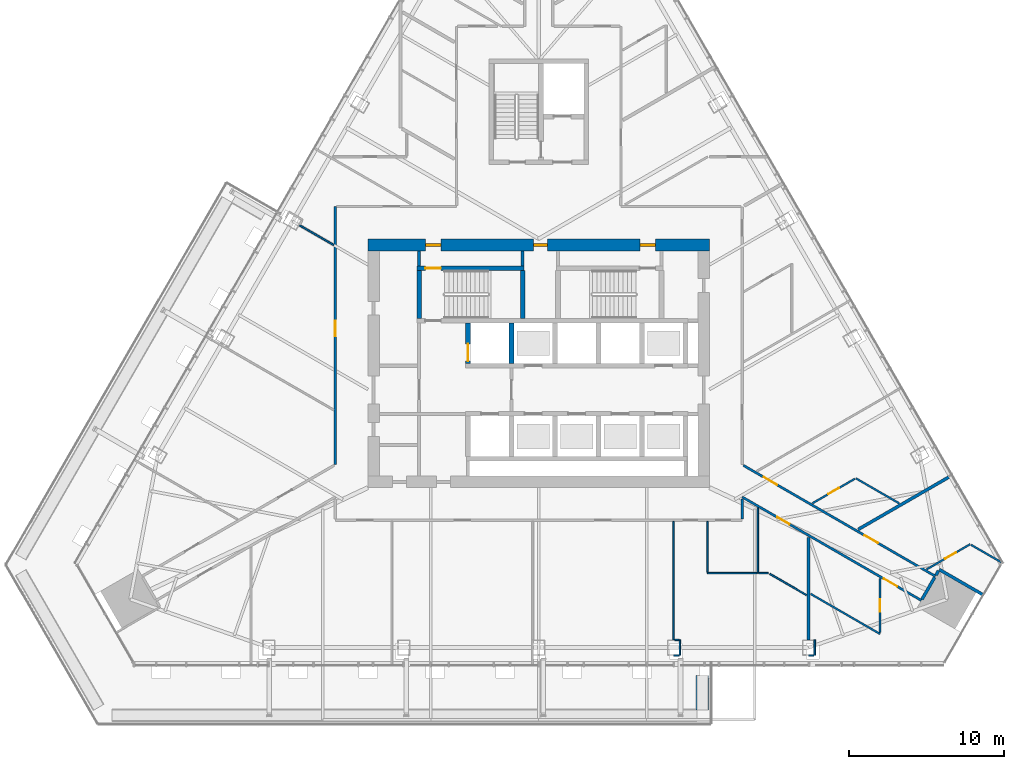
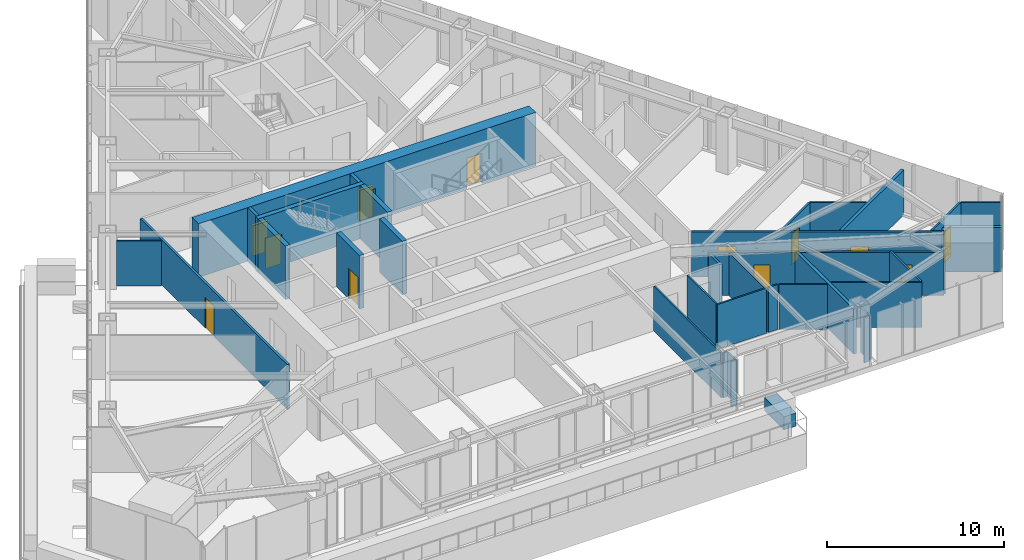
# One storey, part 16 of 23: 36 walls, 13 doors, 13 openings.
"""IFC4 building model written with IfcOpenShell, lengths in metres."""

from ifc_helpers import new_model, si_unit, direction, frame, frame_2d, origin, place, context, subcontext, project, spatial, rectangle, extrude, material, layer, layer_set, type_object, element, fill, save


model = new_model("IFC4")

# Units and contexts
model_context = context("Model", 3, precision=1e-05, world=origin(), true_north=direction((0.0, 1.0)))
body_context = subcontext(model_context, "Body", "Model", "MODEL_VIEW")
ifc_project = project(units=[si_unit("LENGTHUNIT", "METRE"), si_unit("AREAUNIT", "SQUARE_METRE"), si_unit("VOLUMEUNIT", "CUBIC_METRE"), si_unit("PLANEANGLEUNIT", "RADIAN"), si_unit("MASSUNIT", "GRAM", prefix="KILO")], contexts=[model_context])

# Site, building, storey
site_placement = place(None, origin())
site = spatial("IfcSite", under=ifc_project, at=site_placement, CompositionType="ELEMENT")
building_placement = place(site_placement, origin())
building = spatial("IfcBuilding", under=site, at=building_placement, Name="Firuza Gate Tower and Library", CompositionType="ELEMENT")
storey_placement = place(building_placement, frame((0.0, 0.0, 190.89990234375)))
storey = spatial("IfcBuildingStorey", under=building, at=storey_placement, Name="L44", CompositionType="ELEMENT", Elevation=190.89990234375)

# Walls
ifc_material_1 = material(Name="Plasterboard on steel studs", Category="steel")
ifc_layer_1 = layer(ifc_material_1, 0.199951171875)
ifc_layer_set_1 = layer_set([ifc_layer_1], Name="Core partition 200 EI 120")
wall_type_1 = type_object("IfcWallType", Name="Core partition 200 EI 120", PredefinedType="PARTITIONING", material=ifc_layer_set_1)
wall_1_placement = place(storey_placement, frame((67.300048828125, 81.280029296875, 0.0), z_axis=(0.0, 0.0, 1.0), x_axis=(0.0, 1.0, 0.0)))
element("IfcWall", 1, at=wall_1_placement, inside=storey, type_object=wall_type_1, Name="Core partition L44 9", PredefinedType="PARTITIONING", context=body_context, shape_type="SweptSolid", body=[
    extrude(rectangle(XDim=0.969970703125, YDim=0.199951171875, at=frame_2d((0.48486328125, 0.0))), origin(), (0.0, 0.0, 1.0), 3.7001953125),
])
ifc_material_2 = material(Name="Plasterboard on steel studs", Category="steel")
ifc_layer_2 = layer(ifc_material_2, 0.199951171875)
ifc_layer_set_2 = layer_set([ifc_layer_2], Name="Core partition 200 EI 60")
wall_type_2 = type_object("IfcWallType", Name="Core partition 200 EI 60", PredefinedType="PARTITIONING", material=ifc_layer_set_2)
wall_2_placement = place(storey_placement, frame((73.9599609375, 81.280029296875, 0.0), z_axis=(0.0, 0.0, 1.0), x_axis=(0.0, 1.0, 0.0)))
element("IfcWall", 2, at=wall_2_placement, inside=storey, type_object=wall_type_2, Name="Core partition L44 12", PredefinedType="PARTITIONING", context=body_context, shape_type="SweptSolid", body=[
    extrude(rectangle(XDim=0.969970703125, YDim=0.199951171875, at=frame_2d((0.48486328125, 0.0))), origin(), (0.0, 0.0, 1.0), 3.7001953125),
])

# Wall, opening, door
ifc_material_3 = material(Name="Concrete C80/95", Category="concrete")
ifc_layer_3 = layer(ifc_material_3, 0.300048828125)
ifc_layer_set_3 = layer_set([ifc_layer_3], Name="Core wall 300 C80/95")
wall_type_3 = type_object("IfcWallType", Name="Core wall 300 C80/95", PredefinedType="SHEAR", material=ifc_layer_set_3)
wall_3_placement = place(storey_placement, frame((70.449951171875, 75.0, 0.0), z_axis=(0.0, 0.0, 1.0), x_axis=(0.0, 1.0, 0.0)))
wall_3 = element("IfcWall", 3, at=wall_3_placement, inside=storey, type_object=wall_type_3, Name="Core wall L44 9", PredefinedType="SHEAR", context=body_context, shape_type="SweptSolid", body=[
    extrude(rectangle(XDim=2.60009765625, YDim=0.300048828125, at=frame_2d((1.300048828125, 0.0))), origin(), (0.0, 0.0, 1.0), 3.7001953125),
])
opening_1_placement = place(wall_3_placement, frame((0.14990234375, 0.0, 0.0)))
opening_1 = element("IfcOpeningElement", 4, at=opening_1_placement, cuts=wall_3, Name="Opening LD-FF2-L44", PredefinedType="OPENING", context=body_context, shape_type="SweptSolid", body=[
    extrude(rectangle(XDim=1.10009765625, YDim=2.10009765625, at=frame_2d((0.550048828125, 1.050048828125))), frame((0.0, 0.16015625, 0.0), z_axis=(0.0, -1.0, 0.0), x_axis=(1.0, 0.0, 0.0)), (0.0, 0.0, 1.0), 0.320068359375),
])
ifc_material_4 = material(Name="Stainless steel", Category="steel")
door_type_1 = type_object("IfcDoorType", Name="Lift landing door 1100x2100", OperationType="DOUBLE_DOOR_SLIDING", PredefinedType="DOOR", material=ifc_material_4)
door_1_placement = place(opening_1_placement, origin())
door_1 = element("IfcDoor", 5, at=door_1_placement, inside=storey, type_object=door_type_1, Name="Landing door FF2 L44", OperationType="DOUBLE_DOOR_SLIDING", OverallHeight=2.10009765625, OverallWidth=1.10009765625, PredefinedType="DOOR", context=body_context, shape_type="SweptSolid", body=[
    extrude(rectangle(XDim=1.10009765625, YDim=2.10009765625, at=frame_2d((0.550048828125, 1.050048828125))), frame((0.0, 0.02490234375, 0.0), z_axis=(0.0, -1.0, 0.0), x_axis=(1.0, 0.0, 0.0)), (0.0, 0.0, 1.0), 0.050048828125),
])
fill(opening_1, door_1)

# Wall
wall_4_placement = place(storey_placement, frame((73.25, 75.0, 0.0), z_axis=(0.0, 0.0, 1.0), x_axis=(0.0, 1.0, 0.0)))
element("IfcWall", 6, at=wall_4_placement, inside=storey, type_object=wall_type_3, Name="Core wall L44 11", PredefinedType="SHEAR", context=body_context, shape_type="SweptSolid", body=[
    extrude(rectangle(XDim=2.60009765625, YDim=0.300048828125, at=frame_2d((1.300048828125, 0.0))), origin(), (0.0, 0.0, 1.0), 3.7001953125),
])

# Wall, opening, door
wall_5_placement = place(storey_placement, frame((67.14990234375, 81.1298828125, 0.0), z_axis=(0.0, 0.0, 1.0), x_axis=(1.0, 0.0, 0.0)))
wall_5 = element("IfcWall", 7, at=wall_5_placement, inside=storey, type_object=wall_type_3, Name="Core wall L44 21", PredefinedType="SHEAR", context=body_context, shape_type="SweptSolid", body=[
    extrude(rectangle(XDim=6.91015625, YDim=0.300048828125, at=frame_2d((3.455078125, 0.0))), origin(), (0.0, 0.0, 1.0), 3.7001953125),
])
opening_2_placement = place(wall_5_placement, frame((0.544921875, 0.0, 0.0)))
opening_2 = element("IfcOpeningElement", 8, at=opening_2_placement, cuts=wall_5, Name="Opening L44-K11", PredefinedType="OPENING", context=body_context, shape_type="SweptSolid", body=[
    extrude(rectangle(XDim=1.0, YDim=2.10009765625, at=frame_2d((0.5, 1.050048828125))), frame((0.0, 0.16015625, 0.0), z_axis=(0.0, -1.0, 0.0), x_axis=(1.0, 0.0, 0.0)), (0.0, 0.0, 1.0), 0.320068359375),
])
ifc_material_5 = material(Name="Steel", Category="steel")
door_type_2 = type_object("IfcDoorType", Name="Fire door 1000x2100 FD90", OperationType="NOTDEFINED", PredefinedType="DOOR", material=ifc_material_5)
door_2_placement = place(opening_2_placement, origin())
door_2 = element("IfcDoor", 9, at=door_2_placement, inside=storey, type_object=door_type_2, Name="Door L44-K11", OperationType="SINGLE_SWING_RIGHT", OverallHeight=2.10009765625, OverallWidth=1.0, PredefinedType="DOOR", context=body_context, shape_type="SweptSolid", body=[
    extrude(rectangle(XDim=1.0, YDim=2.10009765625, at=frame_2d((0.5, 1.050048828125))), frame((0.0, 0.02490234375, 0.0), z_axis=(0.0, -1.0, 0.0), x_axis=(1.0, 0.0, 0.0)), (0.0, 0.0, 1.0), 0.050048828125),
])
fill(opening_2, door_2)

# Walls
for number, where, z_axis, x_axis, name in (
    (10, (67.300048828125, 77.89990234375, 0.0), (0.0, 0.0, 1.0), (0.0, 1.0, 0.0), "Core wall L44 23"),
    (11, (73.9599609375, 77.89990234375, 0.0), (0.0, 0.0, 1.0), (0.0, 1.0, 0.0), "Core wall L44 24"),
):
    element("IfcWall", number, at=place(storey_placement, frame(where, z_axis=z_axis, x_axis=x_axis)), inside=storey, type_object=wall_type_3, Name=name, PredefinedType="SHEAR", context=body_context, shape_type="SweptSolid", body=[
        extrude(rectangle(XDim=3.080078125, YDim=0.300048828125, at=frame_2d((1.5400390625, 0.0))), origin(), (0.0, 0.0, 1.0), 3.7001953125),
    ])

# Wall, openings, doors
ifc_material_6 = material(Name="Concrete C80/95", Category="concrete")
ifc_layer_4 = layer(ifc_material_6, 0.75)
ifc_layer_set_4 = layer_set([ifc_layer_4], Name="Core wall 750 C80/95")
wall_type_4 = type_object("IfcWallType", Name="Core wall 750 C80/95", PredefinedType="SHEAR", material=ifc_layer_set_4)
wall_6_placement = place(storey_placement, frame((64.0, 82.625, 0.0), z_axis=(0.0, 0.0, 1.0), x_axis=(1.0, 0.0, 0.0)))
wall_6 = element("IfcWall", 12, at=wall_6_placement, inside=storey, type_object=wall_type_4, Name="Core wall L44 2", PredefinedType="SHEAR", context=body_context, shape_type="SweptSolid", body=[
    extrude(rectangle(XDim=22.0, YDim=0.75, at=frame_2d((11.0, 0.0))), origin(), (0.0, 0.0, 1.0), 3.7001953125),
])
opening_3_placement = place(wall_6_placement, frame((3.695068359375, 0.0, 0.0)))
opening_3 = element("IfcOpeningElement", 13, at=opening_3_placement, cuts=wall_6, Name="Opening L44-K12", PredefinedType="OPENING", context=body_context, shape_type="SweptSolid", body=[
    extrude(rectangle(XDim=1.0, YDim=2.10009765625, at=frame_2d((0.5, 1.050048828125))), frame((0.0, 0.385009765625, 0.0), z_axis=(0.0, -1.0, 0.0), x_axis=(1.0, 0.0, 0.0)), (0.0, 0.0, 1.0), 0.77001953125),
])
opening_4_placement = place(wall_6_placement, frame((17.5048828125, 0.0, 0.0)))
opening_4 = element("IfcOpeningElement", 14, at=opening_4_placement, cuts=wall_6, Name="Opening L44-K14", PredefinedType="OPENING", context=body_context, shape_type="SweptSolid", body=[
    extrude(rectangle(XDim=1.0, YDim=2.10009765625, at=frame_2d((0.5, 1.050048828125))), frame((0.0, 0.385009765625, 0.0), z_axis=(0.0, -1.0, 0.0), x_axis=(1.0, 0.0, 0.0)), (0.0, 0.0, 1.0), 0.77001953125),
])
opening_5_placement = place(wall_6_placement, frame((10.64990234375, 0.0, 0.0)))
opening_5 = element("IfcOpeningElement", 15, at=opening_5_placement, cuts=wall_6, Name="Opening L44-K26", PredefinedType="OPENING", context=body_context, shape_type="SweptSolid", body=[
    extrude(rectangle(XDim=0.89990234375, YDim=2.10009765625, at=frame_2d((0.449951171875, 1.050048828125))), frame((0.0, 0.385009765625, 0.0), z_axis=(0.0, -1.0, 0.0), x_axis=(1.0, 0.0, 0.0)), (0.0, 0.0, 1.0), 0.77001953125),
])
door_3_placement = place(opening_3_placement, origin())
door_3 = element("IfcDoor", 16, at=door_3_placement, inside=storey, type_object=door_type_2, Name="Door L44-K12", OperationType="SINGLE_SWING_LEFT", OverallHeight=2.10009765625, OverallWidth=1.0, PredefinedType="DOOR", context=body_context, shape_type="SweptSolid", body=[
    extrude(rectangle(XDim=1.0, YDim=2.10009765625, at=frame_2d((0.5, 1.050048828125))), frame((0.0, 0.094970703125, 0.0), z_axis=(0.0, -1.0, 0.0), x_axis=(1.0, 0.0, 0.0)), (0.0, 0.0, 1.0), 0.18994140625),
])
fill(opening_3, door_3)
door_4_placement = place(opening_4_placement, origin())
door_4 = element("IfcDoor", 17, at=door_4_placement, inside=storey, type_object=door_type_2, Name="Door L44-K14", OperationType="SINGLE_SWING_LEFT", OverallHeight=2.10009765625, OverallWidth=1.0, PredefinedType="DOOR", context=body_context, shape_type="SweptSolid", body=[
    extrude(rectangle(XDim=1.0, YDim=2.10009765625, at=frame_2d((0.5, 1.050048828125))), frame((0.0, 0.094970703125, 0.0), z_axis=(0.0, -1.0, 0.0), x_axis=(1.0, 0.0, 0.0)), (0.0, 0.0, 1.0), 0.18994140625),
])
fill(opening_4, door_4)
ifc_material_7 = material(Name="Steel", Category="steel")
door_type_3 = type_object("IfcDoorType", Name="Fire door 900x2100 FD30S", OperationType="NOTDEFINED", PredefinedType="DOOR", material=ifc_material_7)
door_5_placement = place(opening_5_placement, origin())
door_5 = element("IfcDoor", 18, at=door_5_placement, inside=storey, type_object=door_type_3, Name="Door L44-K26", OperationType="SINGLE_SWING_LEFT", OverallHeight=2.10009765625, OverallWidth=0.89990234375, PredefinedType="DOOR", context=body_context, shape_type="SweptSolid", body=[
    extrude(rectangle(XDim=0.89990234375, YDim=2.10009765625, at=frame_2d((0.449951171875, 1.050048828125))), frame((0.0, 0.094970703125, 0.0), z_axis=(0.0, -1.0, 0.0), x_axis=(1.0, 0.0, 0.0)), (0.0, 0.0, 1.0), 0.18994140625),
])
fill(opening_5, door_5)

# Wall
ifc_material_8 = material(Name="Gypsum board partition")
ifc_layer_5 = layer(ifc_material_8, 0.14990234375)
ifc_layer_set_5 = layer_set([ifc_layer_5], Name="Corridor wall 150 double board on steel studs")
wall_type_5 = type_object("IfcWallType", Name="Corridor wall 150 double board on steel studs", PredefinedType="PARTITIONING", material=ifc_layer_set_5)
wall_7_placement = place(storey_placement, frame((88.10009765625, 64.97509765625, 0.0), z_axis=(0.0, 0.0, 1.0), x_axis=(0.0, 1.0, 0.0)))
element("IfcWall", 19, at=wall_7_placement, inside=storey, type_object=wall_type_5, Name="f:L44:w036", PredefinedType="PARTITIONING", context=body_context, shape_type="SweptSolid", body=[
    extrude(rectangle(XDim=1.285888671875, YDim=0.14990234375, at=frame_2d((0.64306640625, 0.0))), origin(), (0.0, 0.0, 1.0), 2.947021484375),
])

# Wall, opening, door
wall_8_placement = place(storey_placement, frame((61.89990234375, 68.47607421875, 0.0), z_axis=(0.0, 0.0, 1.0), x_axis=(0.0, 1.0, 0.0)))
wall_8 = element("IfcWall", 20, at=wall_8_placement, inside=storey, type_object=wall_type_5, Name="f:L44:w057", PredefinedType="PARTITIONING", context=body_context, shape_type="SweptSolid", body=[
    extrude(rectangle(XDim=16.62353515625, YDim=0.14990234375, at=frame_2d((8.311767578125, 0.0))), origin(), (0.0, 0.0, 1.0), 3.10009765625),
])
opening_6_placement = place(wall_8_placement, frame((8.2763671875, 0.0, 0.0)))
opening_6 = element("IfcOpeningElement", 21, at=opening_6_placement, cuts=wall_8, Name="Opening L44-28", PredefinedType="OPENING", context=body_context, shape_type="SweptSolid", body=[
    extrude(rectangle(XDim=1.0, YDim=2.10009765625, at=frame_2d((0.5, 1.050048828125))), frame((0.0, 0.0849609375, 0.0), z_axis=(0.0, -1.0, 0.0), x_axis=(1.0, 0.0, 0.0)), (0.0, 0.0, 1.0), 0.169921875),
])
ifc_material_9 = material(Name="Steel door and timber leaf", Category="steel")
door_type_4 = type_object("IfcDoorType", Name="Fire door 1000 x 2100 steel frame, timber leaf", OperationType="NOTDEFINED", PredefinedType="DOOR", material=ifc_material_9)
door_6_placement = place(opening_6_placement, origin())
door_6 = element("IfcDoor", 22, at=door_6_placement, inside=storey, type_object=door_type_4, Name="f:L44:d028", OperationType="SINGLE_SWING_LEFT", OverallHeight=2.10009765625, OverallWidth=1.0, PredefinedType="DOOR", context=body_context, shape_type="SweptSolid", body=[
    extrude(rectangle(XDim=1.0, YDim=2.10009765625, at=frame_2d((0.5, 1.050048828125))), frame((0.0, 0.02490234375, 0.0), z_axis=(0.0, -1.0, 0.0), x_axis=(1.0, 0.0, 0.0)), (0.0, 0.0, 1.0), 0.050048828125),
])
fill(opening_6, door_6)

# Wall, openings, doors
wall_9_placement = place(storey_placement, frame((88.175048828125, 68.4326171875, 0.0), z_axis=(0.0, 0.0, 1.0), x_axis=(0.866031488074, -0.499989461553, 0.0)))
wall_9 = element("IfcWall", 23, at=wall_9_placement, inside=storey, type_object=wall_type_5, Name="f:L44:w071", PredefinedType="PARTITIONING", context=body_context, shape_type="SweptSolid", body=[
    extrude(rectangle(XDim=14.273193359375, YDim=0.14990234375, at=frame_2d((7.13671875, 0.0))), origin(), (0.0, 0.0, 1.0), 3.10009765625),
])
opening_7_placement = place(wall_9_placement, frame((1.512939453125, 0.0, 0.0)))
opening_7 = element("IfcOpeningElement", 24, at=opening_7_placement, cuts=wall_9, Name="Opening L44-30", PredefinedType="OPENING", context=body_context, shape_type="SweptSolid", body=[
    extrude(rectangle(XDim=1.0, YDim=2.10009765625, at=frame_2d((0.5, 1.050048828125))), frame((0.0, 0.0849609375, 0.0), z_axis=(0.0, -1.0, 0.0), x_axis=(1.0, 0.0, 0.0)), (0.0, 0.0, 1.0), 0.169921875),
])
opening_8_placement = place(wall_9_placement, frame((9.007568359375, 0.0, 0.0)))
opening_8 = element("IfcOpeningElement", 25, at=opening_8_placement, cuts=wall_9, Name="Opening L44-31", PredefinedType="OPENING", context=body_context, shape_type="SweptSolid", body=[
    extrude(rectangle(XDim=1.0, YDim=2.10009765625, at=frame_2d((0.5, 1.050048828125))), frame((0.0, 0.0849609375, 0.0), z_axis=(0.0, -1.0, 0.0), x_axis=(1.0, 0.0, 0.0)), (0.0, 0.0, 1.0), 0.169921875),
])
door_7_placement = place(opening_7_placement, origin())
door_7 = element("IfcDoor", 26, at=door_7_placement, inside=storey, type_object=door_type_4, Name="f:L44:d030", OperationType="SINGLE_SWING_LEFT", OverallHeight=2.10009765625, OverallWidth=1.0, PredefinedType="DOOR", context=body_context, shape_type="SweptSolid", body=[
    extrude(rectangle(XDim=1.0, YDim=2.10009765625, at=frame_2d((0.5, 1.050048828125))), frame((0.0, 0.02490234375, 0.0), z_axis=(0.0, -1.0, 0.0), x_axis=(1.0, 0.0, 0.0)), (0.0, 0.0, 1.0), 0.050048828125),
])
fill(opening_7, door_7)
door_8_placement = place(opening_8_placement, origin())
door_8 = element("IfcDoor", 27, at=door_8_placement, inside=storey, type_object=door_type_4, Name="f:L44:d031", OperationType="SINGLE_SWING_LEFT", OverallHeight=2.10009765625, OverallWidth=1.0, PredefinedType="DOOR", context=body_context, shape_type="SweptSolid", body=[
    extrude(rectangle(XDim=1.0, YDim=2.10009765625, at=frame_2d((0.5, 1.050048828125))), frame((0.0, 0.02490234375, 0.0), z_axis=(0.0, -1.0, 0.0), x_axis=(1.0, 0.0, 0.0)), (0.0, 0.0, 1.0), 0.050048828125),
])
fill(opening_8, door_8)

wall_10_placement = place(storey_placement, frame((99.6357421875, 59.737548828125, 0.0), z_axis=(0.0, 0.0, 1.0), x_axis=(-0.866031754707, 0.499988999718, 0.0)))
wall_10 = element("IfcWall", 28, at=wall_10_placement, inside=storey, type_object=wall_type_5, Name="f:L44:w074", PredefinedType="PARTITIONING", context=body_context, shape_type="SweptSolid", body=[
    extrude(rectangle(XDim=13.320068359375, YDim=0.14990234375, at=frame_2d((6.66015625, 0.0))), origin(), (0.0, 0.0, 1.0), 2.947021484375),
])
opening_9_placement = place(wall_10_placement, frame((1.795654296875, 0.0, 0.0)))
opening_9 = element("IfcOpeningElement", 29, at=opening_9_placement, cuts=wall_10, Name="Opening L44-32", PredefinedType="OPENING", context=body_context, shape_type="SweptSolid", body=[
    extrude(rectangle(XDim=1.0, YDim=2.10009765625, at=frame_2d((0.5, 1.050048828125))), frame((0.0, 0.0849609375, 0.0), z_axis=(0.0, -1.0, 0.0), x_axis=(1.0, 0.0, 0.0)), (0.0, 0.0, 1.0), 0.169921875),
])
opening_10_placement = place(wall_10_placement, frame((9.818115234375, 0.0, 0.0)))
opening_10 = element("IfcOpeningElement", 30, at=opening_10_placement, cuts=wall_10, Name="Opening L44-33", PredefinedType="OPENING", context=body_context, shape_type="SweptSolid", body=[
    extrude(rectangle(XDim=0.89990234375, YDim=2.10009765625, at=frame_2d((0.449951171875, 1.050048828125))), frame((0.0, 0.0849609375, 0.0), z_axis=(0.0, -1.0, 0.0), x_axis=(1.0, 0.0, 0.0)), (0.0, 0.0, 1.0), 0.169921875),
])
door_9_placement = place(opening_9_placement, origin())
door_9 = element("IfcDoor", 31, at=door_9_placement, inside=storey, type_object=door_type_4, Name="f:L44:d032", OperationType="SINGLE_SWING_RIGHT", OverallHeight=2.10009765625, OverallWidth=1.0, PredefinedType="DOOR", context=body_context, shape_type="SweptSolid", body=[
    extrude(rectangle(XDim=1.0, YDim=2.10009765625, at=frame_2d((0.5, 1.050048828125))), frame((0.0, 0.02490234375, 0.0), z_axis=(0.0, -1.0, 0.0), x_axis=(1.0, 0.0, 0.0)), (0.0, 0.0, 1.0), 0.050048828125),
])
fill(opening_9, door_9)
ifc_material_10 = material(Name="Steel door and timber leaf", Category="steel")
door_type_5 = type_object("IfcDoorType", Name="Fire door 900 x 2100 steel frame, timber leaf", OperationType="NOTDEFINED", PredefinedType="DOOR", material=ifc_material_10)
door_10_placement = place(opening_10_placement, origin())
door_10 = element("IfcDoor", 32, at=door_10_placement, inside=storey, type_object=door_type_5, Name="f:L44:d033", OperationType="SINGLE_SWING_LEFT", OverallHeight=2.10009765625, OverallWidth=0.89990234375, PredefinedType="DOOR", context=body_context, shape_type="SweptSolid", body=[
    extrude(rectangle(XDim=0.89990234375, YDim=2.10009765625, at=frame_2d((0.449951171875, 1.050048828125))), frame((0.0, 0.02490234375, 0.0), z_axis=(0.0, -1.0, 0.0), x_axis=(1.0, 0.0, 0.0)), (0.0, 0.0, 1.0), 0.050048828125),
])
fill(opening_10, door_10)

# Walls
ifc_material_11 = material(Name="Gypsum board partition")
ifc_layer_6 = layer(ifc_material_11, 0.199951171875)
ifc_layer_set_6 = layer_set([ifc_layer_6], Name="Demising wall 200 acoustic double stud")
wall_type_6 = type_object("IfcWallType", Name="Demising wall 200 acoustic double stud", PredefinedType="PARTITIONING", material=ifc_layer_set_6)
wall_11_placement = place(storey_placement, frame((95.56982421875, 64.309814453125, 0.0), z_axis=(0.0, 0.0, 1.0), x_axis=(0.866026061359, 0.499998861046, 0.0)))
element("IfcWall", 33, at=wall_11_placement, inside=storey, type_object=wall_type_6, Name="f:L44:w014", PredefinedType="PARTITIONING", context=body_context, shape_type="SweptSolid", body=[
    extrude(rectangle(XDim=6.93212890625, YDim=0.199951171875, at=frame_2d((3.466064453125, 0.0))), origin(), (0.0, 0.0, 1.0), 3.10009765625),
])
wall_12_placement = place(storey_placement, frame((99.674072265625, 59.802490234375, 0.0), z_axis=(0.0, 0.0, 1.0), x_axis=(0.499991515992, 0.866030301974, 0.0)))
element("IfcWall", 34, at=wall_12_placement, inside=storey, type_object=wall_type_6, Name="f:L44:w028", PredefinedType="PARTITIONING", context=body_context, shape_type="SweptSolid", body=[
    extrude(rectangle(XDim=1.6494140625, YDim=0.199951171875, at=frame_2d((0.82470703125, 0.0))), origin(), (0.0, 0.0, 1.0), 2.947021484375),
])
wall_13_placement = place(storey_placement, frame((92.3720703125, 57.198974609375, 0.0), z_axis=(0.0, 0.0, 1.0), x_axis=(0.0, 1.0, 0.0)))
element("IfcWall", 35, at=wall_13_placement, inside=storey, type_object=wall_type_6, Name="f:L44:w033", PredefinedType="PARTITIONING", context=body_context, shape_type="SweptSolid", body=[
    extrude(rectangle(XDim=6.585693359375, YDim=0.199951171875, at=frame_2d((3.29296875, 0.0))), origin(), (0.0, 0.0, 1.0), 3.10009765625),
])
wall_14_placement = place(storey_placement, frame((103.609375, 60.09912109375, 0.0), z_axis=(0.0, 0.0, 1.0), x_axis=(-0.866035906198, 0.499981808845, 0.0)))
element("IfcWall", 36, at=wall_14_placement, inside=storey, type_object=wall_type_6, Name="f:L44:w070", PredefinedType="PARTITIONING", context=body_context, shape_type="SweptSolid", body=[
    extrude(rectangle(XDim=3.25927734375, YDim=0.199951171875, at=frame_2d((1.629638671875, 0.0))), origin(), (0.0, 0.0, 1.0), 3.10009765625),
])
wall_15_placement = place(storey_placement, frame((100.57373046875, 61.36083984375, 0.0), z_axis=(0.0, 0.0, 1.0), x_axis=(0.500265064493, 0.865872314633, 0.0)))
element("IfcWall", 37, at=wall_15_placement, inside=storey, type_object=wall_type_6, Name="f:L44:w083", PredefinedType="PARTITIONING", context=body_context, shape_type="SweptSolid", body=[
    extrude(rectangle(XDim=0.324462890625, YDim=0.199951171875, at=frame_2d((0.162109375, 0.0))), origin(), (0.0, 0.0, 1.0), 3.10009765625),
])
ifc_material_12 = material(Name="Gypsum board partition")
ifc_layer_7 = layer(ifc_material_12, 0.10009765625)
ifc_layer_set_7 = layer_set([ifc_layer_7], Name="Partition 100 gypsum board on steel studs")
wall_type_7 = type_object("IfcWallType", Name="Partition 100 gypsum board on steel studs", PredefinedType="PARTITIONING", material=ifc_layer_set_7)
wall_16_placement = place(storey_placement, frame((83.685791015625, 56.198974609375, 0.0), z_axis=(0.0, 0.0, 1.0), x_axis=(1.0, 0.0, 0.0)))
element("IfcWall", 38, at=wall_16_placement, inside=storey, type_object=wall_type_7, Name="f:L44:w000", PredefinedType="PARTITIONING", context=body_context, shape_type="SweptSolid", body=[
    extrude(rectangle(XDim=0.349609375, YDim=0.10009765625, at=frame_2d((0.1748046875, 0.0))), origin(), (0.0, 0.0, 1.0), 3.10009765625),
])
wall_17_placement = place(storey_placement, frame((92.37158203125, 56.198974609375, 0.0), z_axis=(0.0, 0.0, 1.0), x_axis=(1.0, 0.0, 0.0)))
element("IfcWall", 39, at=wall_17_placement, inside=storey, type_object=wall_type_7, Name="f:L44:w001", PredefinedType="PARTITIONING", context=body_context, shape_type="SweptSolid", body=[
    extrude(rectangle(XDim=0.349365234375, YDim=0.10009765625, at=frame_2d((0.1748046875, 0.0))), origin(), (0.0, 0.0, 1.0), 3.10009765625),
])
wall_18_placement = place(storey_placement, frame((83.745849609375, 57.198974609375, 0.0), z_axis=(0.0, 0.0, 1.0), x_axis=(1.0, 0.0, 0.0)))
element("IfcWall", 40, at=wall_18_placement, inside=storey, type_object=wall_type_7, Name="f:L44:w002", PredefinedType="PARTITIONING", context=body_context, shape_type="SweptSolid", body=[
    extrude(rectangle(XDim=0.28955078125, YDim=0.10009765625, at=frame_2d((0.144775390625, 0.0))), origin(), (0.0, 0.0, 1.0), 3.10009765625),
])
wall_19_placement = place(storey_placement, frame((85.857177734375, 61.5, 0.0), z_axis=(0.0, 0.0, 1.0), x_axis=(1.0, 0.0, 0.0)))
element("IfcWall", 41, at=wall_19_placement, inside=storey, type_object=wall_type_7, Name="f:L44:w003", PredefinedType="PARTITIONING", context=body_context, shape_type="SweptSolid", body=[
    extrude(rectangle(XDim=3.206787109375, YDim=0.10009765625, at=frame_2d((1.603515625, 0.0))), origin(), (0.0, 0.0, 1.0), 3.10009765625),
])
wall_20_placement = place(storey_placement, frame((92.77197265625, 56.199462890625, 0.0), z_axis=(0.0, 0.0, 1.0), x_axis=(0.0, 1.0, 0.0)))
element("IfcWall", 42, at=wall_20_placement, inside=storey, type_object=wall_type_7, Name="f:L44:w032", PredefinedType="PARTITIONING", context=body_context, shape_type="SweptSolid", body=[
    extrude(rectangle(XDim=0.998779296875, YDim=0.10009765625, at=frame_2d((0.49951171875, 0.0))), origin(), (0.0, 0.0, 1.0), 3.10009765625),
])
wall_21_placement = place(storey_placement, frame((89.114013671875, 61.5, 0.0), z_axis=(0.0, 0.0, 1.0), x_axis=(0.0, 1.0, 0.0)))
element("IfcWall", 43, at=wall_21_placement, inside=storey, type_object=wall_type_7, Name="f:L44:w035", PredefinedType="PARTITIONING", context=body_context, shape_type="SweptSolid", body=[
    extrude(rectangle(XDim=4.1953125, YDim=0.10009765625, at=frame_2d((2.09765625, 0.0))), origin(), (0.0, 0.0, 1.0), 2.947021484375),
])
wall_22_placement = place(storey_placement, frame((85.85693359375, 61.550048828125, 0.0), z_axis=(0.0, 0.0, 1.0), x_axis=(0.0, 1.0, 0.0)))
element("IfcWall", 44, at=wall_22_placement, inside=storey, type_object=wall_type_7, Name="f:L44:w038", PredefinedType="PARTITIONING", context=body_context, shape_type="SweptSolid", body=[
    extrude(rectangle(XDim=3.27490234375, YDim=0.10009765625, at=frame_2d((1.637451171875, 0.0))), origin(), (0.0, 0.0, 1.0), 3.10009765625),
])
wall_23_placement = place(storey_placement, frame((84.0859375, 56.199462890625, 0.0), z_axis=(0.0, 0.0, 1.0), x_axis=(0.0, 1.0, 0.0)))
element("IfcWall", 45, at=wall_23_placement, inside=storey, type_object=wall_type_7, Name="f:L44:w039", PredefinedType="PARTITIONING", context=body_context, shape_type="SweptSolid", body=[
    extrude(rectangle(XDim=0.998779296875, YDim=0.10009765625, at=frame_2d((0.49951171875, 0.0))), origin(), (0.0, 0.0, 1.0), 3.022216796875),
])
wall_24_placement = place(storey_placement, frame((83.68603515625, 57.198974609375, 0.0), z_axis=(0.0, 0.0, 1.0), x_axis=(0.0, 1.0, 0.0)))
element("IfcWall", 46, at=wall_24_placement, inside=storey, type_object=wall_type_7, Name="f:L44:w040", PredefinedType="PARTITIONING", context=body_context, shape_type="SweptSolid", body=[
    extrude(rectangle(XDim=7.6259765625, YDim=0.10009765625, at=frame_2d((3.81298828125, 0.0))), origin(), (0.0, 0.0, 1.0), 3.10009765625),
])
wall_25_placement = place(storey_placement, frame((61.799072265625, 82.62158203125, 0.0), z_axis=(0.0, 0.0, 1.0), x_axis=(-0.866013897511, 0.50001992892, 0.0)))
element("IfcWall", 47, at=wall_25_placement, inside=storey, type_object=wall_type_7, Name="f:L44:w073", PredefinedType="PARTITIONING", context=body_context, shape_type="SweptSolid", body=[
    extrude(rectangle(XDim=2.5576171875, YDim=0.10009765625, at=frame_2d((1.27880859375, 0.0))), origin(), (0.0, 0.0, 1.0), 3.10009765625),
])
wall_26_placement = place(storey_placement, frame((92.24560546875, 60.078125, 0.0), z_axis=(0.0, 0.0, 1.0), x_axis=(-0.866000366307, 0.500043363675, 0.0)))
element("IfcWall", 48, at=wall_26_placement, inside=storey, type_object=wall_type_7, Name="f:L44:w076", PredefinedType="PARTITIONING", context=body_context, shape_type="SweptSolid", body=[
    extrude(rectangle(XDim=2.743896484375, YDim=0.10009765625, at=frame_2d((1.3720703125, 0.0))), origin(), (0.0, 0.0, 1.0), 3.10009765625),
])
wall_27_placement = place(storey_placement, frame((89.1640625, 61.5, 0.0), z_axis=(0.0, 0.0, 1.0), x_axis=(1.0, 0.0, 0.0)))
element("IfcWall", 49, at=wall_27_placement, inside=storey, type_object=wall_type_7, Name="f:L44:w079", PredefinedType="PARTITIONING", context=body_context, shape_type="SweptSolid", body=[
    extrude(rectangle(XDim=0.61865234375, YDim=0.10009765625, at=frame_2d((0.309326171875, 0.0))), origin(), (0.0, 0.0, 1.0), 3.10009765625),
])
ifc_material_13 = material(Name="Concrete C40/50", Category="concrete")
ifc_layer_8 = layer(ifc_material_13, 0.800048828125)
ifc_layer_set_8 = layer_set([ifc_layer_8], Name="Planter wall 800")
wall_type_8 = type_object("IfcWallType", Name="Planter wall 800", PredefinedType="SOLIDWALL", material=ifc_layer_set_8)
wall_28_placement = place(storey_placement, frame((85.535888671875, 52.698974609375, 0.0), z_axis=(0.0, 0.0, 1.0), x_axis=(0.0, 1.0, 0.0)))
element("IfcWall", 50, at=wall_28_placement, inside=storey, type_object=wall_type_8, Name="PLANTER L44 5", PredefinedType="SOLIDWALL", context=body_context, shape_type="SweptSolid", body=[
    extrude(rectangle(XDim=2.199951171875, YDim=0.800048828125, at=frame_2d((1.10009765625, 0.0))), origin(), (0.0, 0.0, 1.0), 0.900146484375),
])

# Wall, opening, door
ifc_material_14 = material(Name="Gypsum board partition")
ifc_layer_9 = layer(ifc_material_14, 0.1201171875)
ifc_layer_set_9 = layer_set([ifc_layer_9], Name="Wet-area partition 120 moisture-resistant board")
wall_type_9 = type_object("IfcWallType", Name="Wet-area partition 120 moisture-resistant board", PredefinedType="PARTITIONING", material=ifc_layer_set_9)
wall_29_placement = place(storey_placement, frame((102.77294921875, 63.353271484375, 0.0), z_axis=(0.0, 0.0, 1.0), x_axis=(-0.866010186656, -0.500026355914, 0.0)))
wall_29 = element("IfcWall", 51, at=wall_29_placement, inside=storey, type_object=wall_type_9, Name="f:L44:w013", PredefinedType="PARTITIONING", context=body_context, shape_type="SweptSolid", body=[
    extrude(rectangle(XDim=3.221923828125, YDim=0.1201171875, at=frame_2d((1.61083984375, 0.0))), origin(), (0.0, 0.0, 1.0), 3.10009765625),
])
opening_11_placement = place(wall_29_placement, frame((1.06103515625, 0.0, 0.0)))
opening_11 = element("IfcOpeningElement", 52, at=opening_11_placement, cuts=wall_29, Name="Opening L44-12", PredefinedType="OPENING", context=body_context, shape_type="SweptSolid", body=[
    extrude(rectangle(XDim=0.800048828125, YDim=2.10009765625, at=frame_2d((0.39990234375, 1.050048828125))), frame((0.0, 0.070068359375, 0.0), z_axis=(0.0, -1.0, 0.0), x_axis=(1.0, 0.0, 0.0)), (0.0, 0.0, 1.0), 0.14013671875),
])
ifc_material_15 = material(Name="Timber door", Category="wood")
door_type_6 = type_object("IfcDoorType", Name="Door 800 x 2100 timber leaf", OperationType="NOTDEFINED", PredefinedType="DOOR", material=ifc_material_15)
door_11_placement = place(opening_11_placement, origin())
door_11 = element("IfcDoor", 53, at=door_11_placement, inside=storey, type_object=door_type_6, Name="f:L44:d012", OperationType="SINGLE_SWING_RIGHT", OverallHeight=2.10009765625, OverallWidth=0.800048828125, PredefinedType="DOOR", context=body_context, shape_type="SweptSolid", body=[
    extrude(rectangle(XDim=0.800048828125, YDim=2.10009765625, at=frame_2d((0.39990234375, 1.050048828125))), frame((0.0, 0.02490234375, 0.0), z_axis=(0.0, -1.0, 0.0), x_axis=(1.0, 0.0, 0.0)), (0.0, 0.0, 1.0), 0.050048828125),
])
fill(opening_11, door_11)

wall_30_placement = place(storey_placement, frame((95.351806640625, 67.568359375, 0.0), z_axis=(0.0, 0.0, 1.0), x_axis=(-0.866028267601, -0.499995039691, 0.0)))
wall_30 = element("IfcWall", 54, at=wall_30_placement, inside=storey, type_object=wall_type_9, Name="f:L44:w015", PredefinedType="PARTITIONING", context=body_context, shape_type="SweptSolid", body=[
    extrude(rectangle(XDim=3.15283203125, YDim=0.1201171875, at=frame_2d((1.576416015625, 0.0))), origin(), (0.0, 0.0, 1.0), 3.10009765625),
])
opening_12_placement = place(wall_30_placement, frame((1.17626953125, 0.0, 0.0)))
opening_12 = element("IfcOpeningElement", 55, at=opening_12_placement, cuts=wall_30, Name="Opening L44-13", PredefinedType="OPENING", context=body_context, shape_type="SweptSolid", body=[
    extrude(rectangle(XDim=0.800048828125, YDim=2.10009765625, at=frame_2d((0.39990234375, 1.050048828125))), frame((0.0, 0.070068359375, 0.0), z_axis=(0.0, -1.0, 0.0), x_axis=(1.0, 0.0, 0.0)), (0.0, 0.0, 1.0), 0.14013671875),
])
door_12_placement = place(opening_12_placement, origin())
door_12 = element("IfcDoor", 56, at=door_12_placement, inside=storey, type_object=door_type_6, Name="f:L44:d013", OperationType="SINGLE_SWING_RIGHT", OverallHeight=2.10009765625, OverallWidth=0.800048828125, PredefinedType="DOOR", context=body_context, shape_type="SweptSolid", body=[
    extrude(rectangle(XDim=0.800048828125, YDim=2.10009765625, at=frame_2d((0.39990234375, 1.050048828125))), frame((0.0, 0.02490234375, 0.0), z_axis=(0.0, -1.0, 0.0), x_axis=(1.0, 0.0, 0.0)), (0.0, 0.0, 1.0), 0.050048828125),
])
fill(opening_12, door_12)

wall_31_placement = place(storey_placement, frame((96.972900390625, 57.688720703125, 0.0), z_axis=(0.0, 0.0, 1.0), x_axis=(0.0, 1.0, 0.0)))
wall_31 = element("IfcWall", 57, at=wall_31_placement, inside=storey, type_object=wall_type_9, Name="f:L44:w031", PredefinedType="PARTITIONING", context=body_context, shape_type="SweptSolid", body=[
    extrude(rectangle(XDim=3.459228515625, YDim=0.1201171875, at=frame_2d((1.7294921875, 0.0))), origin(), (0.0, 0.0, 1.0), 3.10009765625),
])
opening_13_placement = place(wall_31_placement, frame((1.32958984375, 0.0, 0.0)))
opening_13 = element("IfcOpeningElement", 58, at=opening_13_placement, cuts=wall_31, Name="Opening L44-20", PredefinedType="OPENING", context=body_context, shape_type="SweptSolid", body=[
    extrude(rectangle(XDim=0.800048828125, YDim=2.10009765625, at=frame_2d((0.39990234375, 1.050048828125))), frame((0.0, 0.070068359375, 0.0), z_axis=(0.0, -1.0, 0.0), x_axis=(1.0, 0.0, 0.0)), (0.0, 0.0, 1.0), 0.14013671875),
])
door_13_placement = place(opening_13_placement, origin())
door_13 = element("IfcDoor", 59, at=door_13_placement, inside=storey, type_object=door_type_6, Name="f:L44:d020", OperationType="SINGLE_SWING_LEFT", OverallHeight=2.10009765625, OverallWidth=0.800048828125, PredefinedType="DOOR", context=body_context, shape_type="SweptSolid", body=[
    extrude(rectangle(XDim=0.800048828125, YDim=2.10009765625, at=frame_2d((0.39990234375, 1.050048828125))), frame((0.0, 0.02490234375, 0.0), z_axis=(0.0, -1.0, 0.0), x_axis=(1.0, 0.0, 0.0)), (0.0, 0.0, 1.0), 0.050048828125),
])
fill(opening_13, door_13)

# Walls
wall_32_placement = place(storey_placement, frame((104.783447265625, 62.192626953125, 0.0), z_axis=(0.0, 0.0, 1.0), x_axis=(-0.866046587367, 0.499963307164, 0.0)))
element("IfcWall", 60, at=wall_32_placement, inside=storey, type_object=wall_type_9, Name="f:L44:w068", PredefinedType="PARTITIONING", context=body_context, shape_type="SweptSolid", body=[
    extrude(rectangle(XDim=2.252197265625, YDim=0.1201171875, at=frame_2d((1.1259765625, 0.0))), origin(), (0.0, 0.0, 1.0), 3.10009765625),
])
wall_33_placement = place(storey_placement, frame((98.20849609375, 65.988525390625, 0.0), z_axis=(0.0, 0.0, 1.0), x_axis=(-0.866029485168, 0.49999293077, 0.0)))
element("IfcWall", 61, at=wall_33_placement, inside=storey, type_object=wall_type_9, Name="f:L44:w069", PredefinedType="PARTITIONING", context=body_context, shape_type="SweptSolid", body=[
    extrude(rectangle(XDim=3.2294921875, YDim=0.1201171875, at=frame_2d((1.61474609375, 0.0))), origin(), (0.0, 0.0, 1.0), 3.10009765625),
])
wall_34_placement = place(storey_placement, frame((96.973388671875, 57.57958984375, 0.0), z_axis=(0.0, 0.0, 1.0), x_axis=(-0.866020851292, 0.500007885066, 0.0)))
element("IfcWall", 62, at=wall_34_placement, inside=storey, type_object=wall_type_9, Name="f:L44:w075", PredefinedType="PARTITIONING", context=body_context, shape_type="SweptSolid", body=[
    extrude(rectangle(XDim=5.158203125, YDim=0.1201171875, at=frame_2d((2.5791015625, 0.0))), origin(), (0.0, 0.0, 1.0), 3.10009765625),
])

save(model, "model.ifc")
